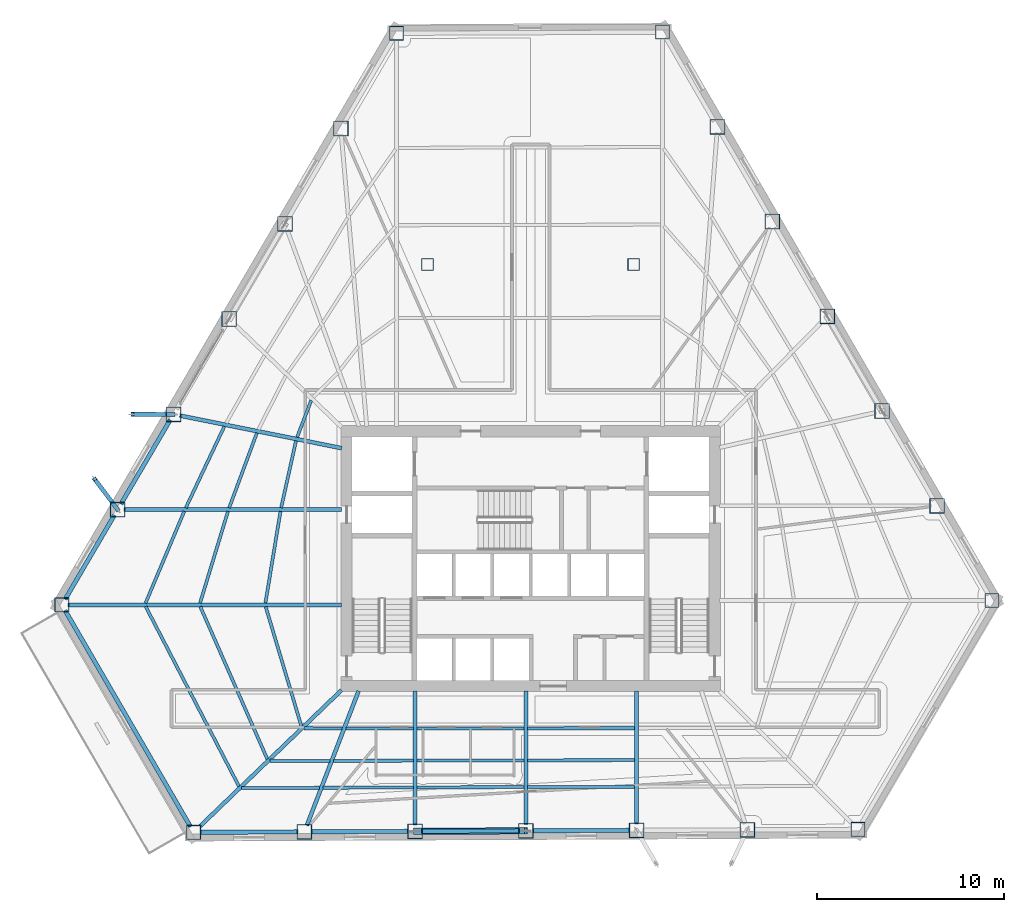
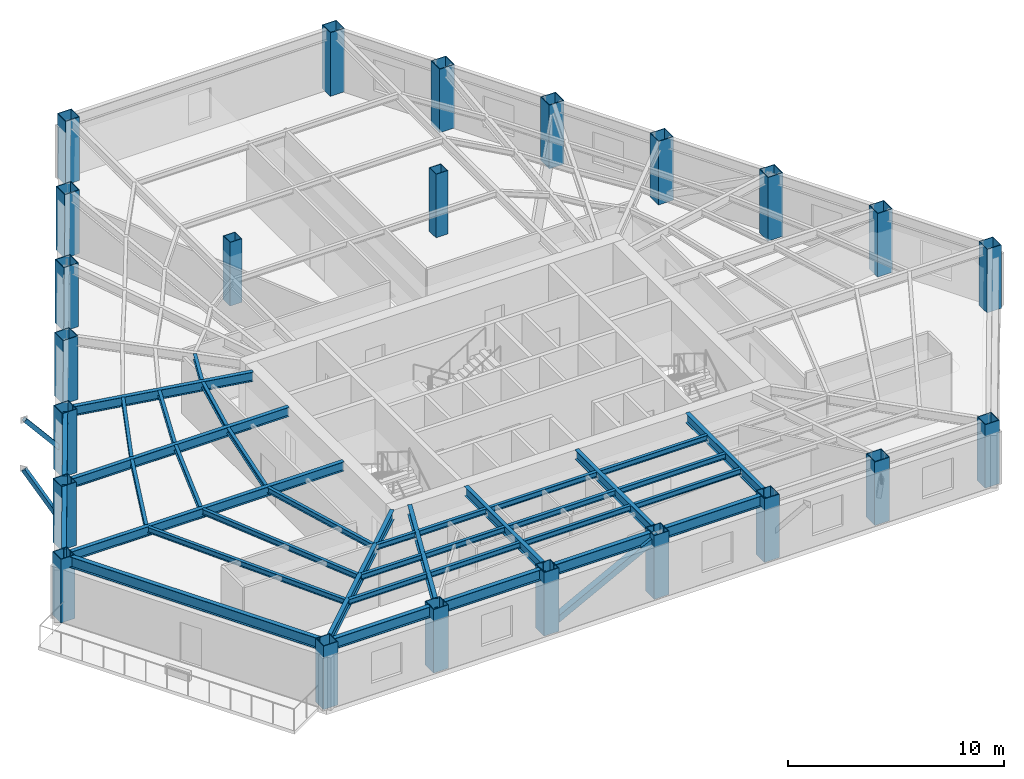
# One storey, part 1 of 15: 37 beams, 23 columns, 3 members.
"""IFC4 building model written with IfcOpenShell, lengths in metres."""

from ifc_helpers import new_model, si_unit, direction, frame, origin, origin_2d, place, context, subcontext, project, spatial, hollow_rectangle, i_section, extrude, material, material_profile, profile_set, type_object, element, save


model = new_model("IFC4")

# Units and contexts
model_context = context("Model", 3, precision=1e-05, world=origin(), true_north=direction((0.0, 1.0)))
body_context = subcontext(model_context, "Body", "Model", "MODEL_VIEW")
ifc_project = project(units=[si_unit("LENGTHUNIT", "METRE"), si_unit("AREAUNIT", "SQUARE_METRE"), si_unit("VOLUMEUNIT", "CUBIC_METRE"), si_unit("PLANEANGLEUNIT", "RADIAN"), si_unit("MASSUNIT", "GRAM", prefix="KILO")], contexts=[model_context])

# Site, building, storey
site_placement = place(None, origin())
site = spatial("IfcSite", under=ifc_project, at=site_placement, CompositionType="ELEMENT")
building_placement = place(site_placement, origin())
building = spatial("IfcBuilding", under=site, at=building_placement, Name="Kavelnor Concourse Tower", CompositionType="ELEMENT")
storey_placement = place(building_placement, frame((0.0, 0.0, 67.60009765625)))
storey = spatial("IfcBuildingStorey", under=building, at=storey_placement, Name="L17", CompositionType="ELEMENT", Elevation=67.60009765625)

# Columns
ifc_material = material(Name="Steel Grade 350", Category="steel")
ifc_material_profile_1 = material_profile(ifc_material, hollow_rectangle(XDim=0.760009765625, YDim=0.760009765625, WallThickness=0.034912109375, at=origin_2d()), Name="SHS 760x760x35")
ifc_profile_set_1 = profile_set([ifc_material_profile_1], Name="Steel Grade 350")
column_type_1 = type_object("IfcColumnType", Name="COL-FOLD-Z1", PredefinedType="COLUMN", material=ifc_profile_set_1)
for number, where, z_axis, x_axis, name in (
    (1, (30.846923828125, 44.1298828125, 0.0), (0.0, 0.0, 1.0), (1.0, 0.0, 0.0), "L17 Perimeter Corner-Fold Column F0-B0"),
    (2, (12.98828125, 13.63427734375, 0.0), (0.0, 0.0, 1.0), (1.0, 0.0, 0.0), "L17 Perimeter Corner-Fold Column F0-B6"),
    (3, (20.022705078125, 1.497314453125, 0.0), (0.0, 0.0, 1.0), (1.0, 0.0, 0.0), "L17 Perimeter Corner-Fold Column F1-B0"),
    (4, (55.46630859375, 1.656982421875, 0.0), (0.0, 0.0, 1.0), (1.0, 0.0, 0.0), "L17 Perimeter Corner-Fold Column F1-B6"),
    (5, (62.61572265625, 13.865478515625, 0.0), (0.0, 0.0, 1.0), (1.0, 0.0, 0.0), "L17 Perimeter Corner-Fold Column F2-B0"),
    (6, (45.0380859375, 44.194091796875, 0.0), (0.0, 0.0, 1.0), (1.0, 0.0, 0.0), "L17 Perimeter Corner-Fold Column F2-B6"),
):
    element("IfcColumn", number, at=place(storey_placement, frame(where, z_axis=z_axis, x_axis=x_axis)), inside=storey, type_object=column_type_1, Name=name, PredefinedType="COLUMN", context=body_context, shape_type="SweptSolid", body=[
        extrude(hollow_rectangle(XDim=0.760009765625, YDim=0.760009765625, WallThickness=0.034912109375, at=origin_2d()), origin(), (0.0, 0.0, 1.0), 3.58984375),
    ])
ifc_material_profile_2 = material_profile(ifc_material, hollow_rectangle(XDim=0.800048828125, YDim=0.800048828125, WallThickness=0.035888671875, at=origin_2d()), Name="SHS 800x800x36")
ifc_profile_set_2 = profile_set([ifc_material_profile_2], Name="Steel Grade 350")
column_type_2 = type_object("IfcColumnType", Name="COL-TUBE-Z1", PredefinedType="COLUMN", material=ifc_profile_set_2)
for number, where, z_axis, x_axis, name in (
    (7, (27.87060546875, 39.04736328125, 0.0), (0.0, 0.0, 1.0), (1.0, 0.0, 0.0), "L17 Perimeter Framed-Tube Column F0-B1"),
    (8, (24.89404296875, 33.964599609375, 0.0), (0.0, 0.0, 1.0), (1.0, 0.0, 0.0), "L17 Perimeter Framed-Tube Column F0-B2"),
    (9, (21.917724609375, 28.882080078125, 0.0), (0.0, 0.0, 1.0), (1.0, 0.0, 0.0), "L17 Perimeter Framed-Tube Column F0-B3"),
    (10, (18.941162109375, 23.799560546875, 0.0), (0.0, 0.0, 1.0), (1.0, 0.0, 0.0), "L17 Perimeter Framed-Tube Column F0-B4"),
    (11, (15.96484375, 18.716796875, 0.0), (0.0, 0.0, 1.0), (1.0, 0.0, 0.0), "L17 Perimeter Framed-Tube Column F0-B5"),
    (12, (25.929931640625, 1.52392578125, 0.0), (0.0, 0.0, 1.0), (1.0, 0.0, 0.0), "L17 Perimeter Framed-Tube Column F1-B1"),
    (13, (31.837158203125, 1.550537109375, 0.0), (0.0, 0.0, 1.0), (1.0, 0.0, 0.0), "L17 Perimeter Framed-Tube Column F1-B2"),
    (14, (37.744384765625, 1.5771484375, 0.0), (0.0, 0.0, 1.0), (1.0, 0.0, 0.0), "L17 Perimeter Framed-Tube Column F1-B3"),
    (15, (43.65185546875, 1.603759765625, 0.0), (0.0, 0.0, 1.0), (1.0, 0.0, 0.0), "L17 Perimeter Framed-Tube Column F1-B4"),
    (16, (49.55908203125, 1.630615234375, 0.0), (0.0, 0.0, 1.0), (1.0, 0.0, 0.0), "L17 Perimeter Framed-Tube Column F1-B5"),
    (17, (59.68603515625, 18.92041015625, 0.0), (0.0, 0.0, 1.0), (1.0, 0.0, 0.0), "L17 Perimeter Framed-Tube Column F2-B1"),
    (18, (56.756591796875, 23.97509765625, 0.0), (0.0, 0.0, 1.0), (1.0, 0.0, 0.0), "L17 Perimeter Framed-Tube Column F2-B2"),
    (19, (53.826904296875, 29.02978515625, 0.0), (0.0, 0.0, 1.0), (1.0, 0.0, 0.0), "L17 Perimeter Framed-Tube Column F2-B3"),
    (20, (50.897216796875, 34.08447265625, 0.0), (0.0, 0.0, 1.0), (1.0, 0.0, 0.0), "L17 Perimeter Framed-Tube Column F2-B4"),
    (21, (47.967529296875, 39.139404296875, 0.0), (0.0, 0.0, 1.0), (1.0, 0.0, 0.0), "L17 Perimeter Framed-Tube Column F2-B5"),
):
    element("IfcColumn", number, at=place(storey_placement, frame(where, z_axis=z_axis, x_axis=x_axis)), inside=storey, type_object=column_type_2, Name=name, PredefinedType="COLUMN", context=body_context, shape_type="SweptSolid", body=[
        extrude(hollow_rectangle(XDim=0.800048828125, YDim=0.800048828125, WallThickness=0.035888671875, at=origin_2d()), origin(), (0.0, 0.0, 1.0), 3.58984375),
    ])
ifc_material_profile_3 = material_profile(ifc_material, hollow_rectangle(XDim=0.639892578125, YDim=0.639892578125, WallThickness=0.028076171875, at=origin_2d()), Name="SHS 640x640x28")
ifc_profile_set_3 = profile_set([ifc_material_profile_3], Name="Steel Grade 350")
column_type_3 = type_object("IfcColumnType", Name="COL-TUBE-Z3", PredefinedType="COLUMN", material=ifc_profile_set_3)
for number, where, z_axis, x_axis, name in (
    (22, (32.5, 31.800048828125, 0.0), (0.0, 0.0, 1.0), (1.0, 0.0, 0.0), "L17 North Interior Gravity Column BC-NW"),
    (23, (43.5, 31.800048828125, 0.0), (0.0, 0.0, 1.0), (1.0, 0.0, 0.0), "L17 North Interior Gravity Column BC-NE"),
):
    element("IfcColumn", number, at=place(storey_placement, frame(where, z_axis=z_axis, x_axis=x_axis)), inside=storey, type_object=column_type_3, Name=name, PredefinedType="COLUMN", context=body_context, shape_type="SweptSolid", body=[
        extrude(hollow_rectangle(XDim=0.639892578125, YDim=0.639892578125, WallThickness=0.028076171875, at=origin_2d()), origin(), (0.0, 0.0, 1.0), 3.58984375),
    ])

# Beams
ifc_material_profile_4 = material_profile(ifc_material, i_section(OverallWidth=0.166015625, OverallDepth=0.306884765625, WebThickness=0.006591796875, FlangeThickness=0.01171875, at=origin_2d()), Name="310UB46")
ifc_profile_set_4 = profile_set([ifc_material_profile_4], Name="Steel Grade 350")
beam_type_1 = type_object("IfcBeamType", Name="BM-JOIST-310", PredefinedType="JOIST", material=ifc_profile_set_4)
beam_1_placement = place(storey_placement, frame((23.862548828125, 13.539794921875, 3.4365234375), z_axis=(0.286111777184, -0.958196248665, 0.0), x_axis=(0.958196248665, 0.286111777184, 0.0)))
element("IfcBeam", 24, at=beam_1_placement, inside=storey, type_object=beam_type_1, Name="L17 Secondary Composite Joist 01-1", PredefinedType="JOIST", context=body_context, shape_type="SweptSolid", body=[
    extrude(i_section(OverallWidth=0.166015625, OverallDepth=0.306884765625, WebThickness=0.006591796875, FlangeThickness=0.01171875, at=origin_2d()), origin(), (0.0, 0.0, 1.0), 6.66943359375),
])
beam_2_placement = place(storey_placement, frame((20.3720703125, 13.544189453125, 3.4365234375), z_axis=(0.402514995362, -0.91541339214, 0.0), x_axis=(0.91541339214, 0.402514995362, 0.0)))
element("IfcBeam", 25, at=beam_2_placement, inside=storey, type_object=beam_type_1, Name="L17 Secondary Composite Joist 01-2", PredefinedType="JOIST", context=body_context, shape_type="SweptSolid", body=[
    extrude(i_section(OverallWidth=0.166015625, OverallDepth=0.306884765625, WebThickness=0.006591796875, FlangeThickness=0.01171875, at=origin_2d()), origin(), (0.0, 0.0, 1.0), 8.891357421875),
])
beam_3_placement = place(storey_placement, frame((17.45947265625, 13.546875, 3.4365234375), z_axis=(0.460597330643, -0.887609203988, 0.0), x_axis=(0.887609203988, 0.460597330643, 0.0)))
element("IfcBeam", 26, at=beam_3_placement, inside=storey, type_object=beam_type_1, Name="L17 Secondary Composite Joist 01-3", PredefinedType="JOIST", context=body_context, shape_type="SweptSolid", body=[
    extrude(i_section(OverallWidth=0.166015625, OverallDepth=0.306884765625, WebThickness=0.006591796875, FlangeThickness=0.01171875, at=origin_2d()), origin(), (0.0, 0.0, 1.0), 10.809326171875),
])
beam_4_placement = place(storey_placement, frame((25.8974609375, 7.0537109375, 3.4365234375), z_axis=(0.999936007774, -0.011312840388, 0.0), x_axis=(0.011312840388, 0.999936007774, 0.0)))
element("IfcBeam", 27, at=beam_4_placement, inside=storey, type_object=beam_type_1, Name="L17 Secondary Composite Joist 02-1", PredefinedType="JOIST", context=body_context, shape_type="SweptSolid", body=[
    extrude(i_section(OverallWidth=0.166015625, OverallDepth=0.306884765625, WebThickness=0.006591796875, FlangeThickness=0.01171875, at=origin_2d()), origin(), (0.0, 0.0, 1.0), 2.05029296875),
])
beam_5_placement = place(storey_placement, frame((24.089111328125, 5.314697265625, 3.4365234375), z_axis=(0.999998177625, -0.001909122141, 0.0), x_axis=(0.001909122141, 0.999998177625, 0.0)))
element("IfcBeam", 28, at=beam_5_placement, inside=storey, type_object=beam_type_1, Name="L17 Secondary Composite Joist 02-2", PredefinedType="JOIST", context=body_context, shape_type="SweptSolid", body=[
    extrude(i_section(OverallWidth=0.166015625, OverallDepth=0.306884765625, WebThickness=0.006591796875, FlangeThickness=0.01171875, at=origin_2d()), origin(), (0.0, 0.0, 1.0), 3.197021484375),
])
beam_6_placement = place(storey_placement, frame((22.582275390625, 3.865234375, 3.4365234375), z_axis=(0.999997634002, 0.002175313802, 0.0), x_axis=(-0.002175313802, 0.999997634002, 0.0)))
element("IfcBeam", 29, at=beam_6_placement, inside=storey, type_object=beam_type_1, Name="L17 Secondary Composite Joist 02-3", PredefinedType="JOIST", context=body_context, shape_type="SweptSolid", body=[
    extrude(i_section(OverallWidth=0.166015625, OverallDepth=0.306884765625, WebThickness=0.006591796875, FlangeThickness=0.01171875, at=origin_2d()), origin(), (0.0, 0.0, 1.0), 4.152587890625),
])
beam_7_placement = place(storey_placement, frame((28.14453125, 7.02978515625, 3.4365234375), z_axis=(0.999997487751, 0.002241537637, 0.0), x_axis=(-0.002241537637, 0.999997487751, 0.0)))
element("IfcBeam", 30, at=beam_7_placement, inside=storey, type_object=beam_type_1, Name="L17 Secondary Composite Joist 03-1", PredefinedType="JOIST", context=body_context, shape_type="SweptSolid", body=[
    extrude(i_section(OverallWidth=0.166015625, OverallDepth=0.306884765625, WebThickness=0.006591796875, FlangeThickness=0.01171875, at=origin_2d()), origin(), (0.0, 0.0, 1.0), 3.59423828125),
])
beam_8_placement = place(storey_placement, frame((27.483154296875, 5.308837890625, 3.4365234375), z_axis=(0.999995201453, 0.003097914112, 0.0), x_axis=(-0.003097914112, 0.999995201453, 0.0)))
element("IfcBeam", 31, at=beam_8_placement, inside=storey, type_object=beam_type_1, Name="L17 Secondary Composite Joist 03-2", PredefinedType="JOIST", context=body_context, shape_type="SweptSolid", body=[
    extrude(i_section(OverallWidth=0.166015625, OverallDepth=0.306884765625, WebThickness=0.006591796875, FlangeThickness=0.01171875, at=origin_2d()), origin(), (0.0, 0.0, 1.0), 4.255615234375),
])
beam_9_placement = place(storey_placement, frame((26.931884765625, 3.874755859375, 3.4365234375), z_axis=(0.999993498177, 0.003606051012, 0.0), x_axis=(-0.003606051012, 0.999993498177, 0.0)))
element("IfcBeam", 32, at=beam_9_placement, inside=storey, type_object=beam_type_1, Name="L17 Secondary Composite Joist 03-3", PredefinedType="JOIST", context=body_context, shape_type="SweptSolid", body=[
    extrude(i_section(OverallWidth=0.166015625, OverallDepth=0.306884765625, WebThickness=0.006591796875, FlangeThickness=0.01171875, at=origin_2d()), origin(), (0.0, 0.0, 1.0), 4.806884765625),
])
for number, where, z_axis, x_axis, name in (
    (33, (31.935791015625, 7.038330078125, 3.4365234375), (0.999999231326, 0.001239898145, 0.0), (-0.001239898145, 0.999999231326, 0.0), "L17 Secondary Composite Joist 04-1"),
    (34, (31.935791015625, 5.322509765625, 3.4365234375), (0.999997235158, 0.00235152627, 0.0), (-0.00235152627, 0.999997235158, 0.0), "L17 Secondary Composite Joist 04-2"),
    (35, (31.935791015625, 3.892822265625, 3.4365234375), (0.999994720772, 0.003249373585, 0.0), (-0.003249373585, 0.999994720772, 0.0), "L17 Secondary Composite Joist 04-3"),
    (36, (37.843017578125, 7.045654296875, 3.4365234375), (0.9999991774, 0.001282653184, 0.0), (-0.001282653184, 0.9999991774, 0.0), "L17 Secondary Composite Joist 05-1"),
    (37, (37.843017578125, 5.33642578125, 3.4365234375), (0.999997334784, 0.002308771477, 0.0), (-0.002308771477, 0.999997334784, 0.0), "L17 Secondary Composite Joist 05-2"),
    (38, (37.843017578125, 3.911865234375, 3.4365234375), (0.999994720772, 0.003249373585, 0.0), (-0.003249373585, 0.999994720772, 0.0), "L17 Secondary Composite Joist 05-3"),
):
    element("IfcBeam", number, at=place(storey_placement, frame(where, z_axis=z_axis, x_axis=x_axis)), inside=storey, type_object=beam_type_1, Name=name, PredefinedType="JOIST", context=body_context, shape_type="SweptSolid", body=[
        extrude(i_section(OverallWidth=0.166015625, OverallDepth=0.306884765625, WebThickness=0.006591796875, FlangeThickness=0.01171875, at=origin_2d()), origin(), (0.0, 0.0, 1.0), 5.710205078125),
    ])
beam_10_placement = place(storey_placement, frame((26.294189453125, 24.5439453125, 3.4365234375), z_axis=(-0.358862904962, -0.933390280345, 0.0), x_axis=(0.933390280345, -0.358862904962, 0.0)))
element("IfcBeam", 39, at=beam_10_placement, inside=storey, type_object=beam_type_1, Name="L17 Secondary Composite Joist 19-1", PredefinedType="JOIST", context=body_context, shape_type="SweptSolid", body=[
    extrude(i_section(OverallWidth=0.166015625, OverallDepth=0.306884765625, WebThickness=0.006591796875, FlangeThickness=0.01171875, at=origin_2d()), origin(), (0.0, 0.0, 1.0), 2.1123046875),
])
beam_11_placement = place(storey_placement, frame((25.4794921875, 22.384033203125, 3.4365234375), z_axis=(-0.216138801597, -0.976362646993, 0.0), x_axis=(0.976362646993, -0.216138801597, 0.0)))
element("IfcBeam", 40, at=beam_11_placement, inside=storey, type_object=beam_type_1, Name="L17 Secondary Composite Joist 20-1", PredefinedType="JOIST", context=body_context, shape_type="SweptSolid", body=[
    extrude(i_section(OverallWidth=0.166015625, OverallDepth=0.306884765625, WebThickness=0.006591796875, FlangeThickness=0.01171875, at=origin_2d()), origin(), (0.0, 0.0, 1.0), 3.657470703125),
])
beam_12_placement = place(storey_placement, frame((23.393798828125, 22.8046875, 3.4365234375), z_axis=(-0.34725836519, -0.937769496095, 0.0), x_axis=(0.937769496095, -0.34725836519, 0.0)))
element("IfcBeam", 41, at=beam_12_placement, inside=storey, type_object=beam_type_1, Name="L17 Secondary Composite Joist 20-2", PredefinedType="JOIST", context=body_context, shape_type="SweptSolid", body=[
    extrude(i_section(OverallWidth=0.166015625, OverallDepth=0.306884765625, WebThickness=0.006591796875, FlangeThickness=0.01171875, at=origin_2d()), origin(), (0.0, 0.0, 1.0), 4.260498046875),
])
beam_13_placement = place(storey_placement, frame((21.658203125, 23.155517578125, 3.4365234375), z_axis=(-0.427872616146, -0.903839047813, 0.0), x_axis=(0.903839047813, -0.427872616146, 0.0)))
element("IfcBeam", 42, at=beam_13_placement, inside=storey, type_object=beam_type_1, Name="L17 Secondary Composite Joist 20-3", PredefinedType="JOIST", context=body_context, shape_type="SweptSolid", body=[
    extrude(i_section(OverallWidth=0.166015625, OverallDepth=0.306884765625, WebThickness=0.006591796875, FlangeThickness=0.01171875, at=origin_2d()), origin(), (0.0, 0.0, 1.0), 4.812255859375),
])
beam_14_placement = place(storey_placement, frame((24.65185546875, 18.61962890625, 3.4365234375), z_axis=(-0.161808860919, -0.986822117977, 0.0), x_axis=(0.986822117977, -0.161808860919, 0.0)))
element("IfcBeam", 43, at=beam_14_placement, inside=storey, type_object=beam_type_1, Name="L17 Secondary Composite Joist 21-1", PredefinedType="JOIST", context=body_context, shape_type="SweptSolid", body=[
    extrude(i_section(OverallWidth=0.166015625, OverallDepth=0.306884765625, WebThickness=0.006591796875, FlangeThickness=0.01171875, at=origin_2d()), origin(), (0.0, 0.0, 1.0), 4.953369140625),
])
beam_15_placement = place(storey_placement, frame((21.851318359375, 18.622802734375, 3.4365234375), z_axis=(-0.291281243076, -0.95663746395, 0.0), x_axis=(0.95663746395, -0.291281243076, 0.0)))
element("IfcBeam", 44, at=beam_15_placement, inside=storey, type_object=beam_type_1, Name="L17 Secondary Composite Joist 21-2", PredefinedType="JOIST", context=body_context, shape_type="SweptSolid", body=[
    extrude(i_section(OverallWidth=0.166015625, OverallDepth=0.306884765625, WebThickness=0.006591796875, FlangeThickness=0.01171875, at=origin_2d()), origin(), (0.0, 0.0, 1.0), 5.1162109375),
])
beam_16_placement = place(storey_placement, frame((19.518798828125, 18.626220703125, 3.4365234375), z_axis=(-0.388500190137, -0.921448643313, 0.0), x_axis=(0.921448643313, -0.388500190137, 0.0)))
element("IfcBeam", 45, at=beam_16_placement, inside=storey, type_object=beam_type_1, Name="L17 Secondary Composite Joist 21-3", PredefinedType="JOIST", context=body_context, shape_type="SweptSolid", body=[
    extrude(i_section(OverallWidth=0.166015625, OverallDepth=0.306884765625, WebThickness=0.006591796875, FlangeThickness=0.01171875, at=origin_2d()), origin(), (0.0, 0.0, 1.0), 5.31884765625),
])
ifc_material_profile_5 = material_profile(ifc_material, i_section(OverallWidth=0.208984375, OverallDepth=0.528076171875, WebThickness=0.009521484375, FlangeThickness=0.01318359375, at=origin_2d()), Name="530UB82")
ifc_profile_set_5 = profile_set([ifc_material_profile_5], Name="Steel Grade 350")
beam_type_2 = type_object("IfcBeamType", Name="BM-PRIMARY-530", PredefinedType="BEAM", material=ifc_profile_set_5)
beam_17_placement = place(storey_placement, frame((27.919189453125, 21.993896484375, 3.325927734375), z_axis=(-0.980370147364, 0.197165854443, 0.0), x_axis=(-0.197165854443, -0.980370147364, 0.0)))
element("IfcBeam", 46, at=beam_17_placement, inside=storey, type_object=beam_type_2, Name="L17 Primary Floor Girder F0-B4", PredefinedType="BEAM", context=body_context, shape_type="SweptSolid", body=[
    extrude(i_section(OverallWidth=0.208984375, OverallDepth=0.528076171875, WebThickness=0.009521484375, FlangeThickness=0.01318359375, at=origin_2d()), origin(), (0.0, 0.0, 1.0), 8.81005859375),
])
beam_18_placement = place(storey_placement, frame((27.919921875, 18.716796875, 3.325927734375), z_axis=(-1.0, 0.0, 0.0), x_axis=(0.0, -1.0, 0.0)))
element("IfcBeam", 47, at=beam_18_placement, inside=storey, type_object=beam_type_2, Name="L17 Primary Floor Girder F0-B5", PredefinedType="BEAM", context=body_context, shape_type="SweptSolid", body=[
    extrude(i_section(OverallWidth=0.208984375, OverallDepth=0.528076171875, WebThickness=0.009521484375, FlangeThickness=0.01318359375, at=origin_2d()), origin(), (0.0, 0.0, 1.0), 11.615234375),
])
beam_19_placement = place(storey_placement, frame((27.919921875, 13.63427734375, 3.325927734375), z_axis=(-1.0, 0.0, 0.0), x_axis=(0.0, -1.0, 0.0)))
element("IfcBeam", 48, at=beam_19_placement, inside=storey, type_object=beam_type_2, Name="L17 Primary Floor Girder F0-B6", PredefinedType="BEAM", context=body_context, shape_type="SweptSolid", body=[
    extrude(i_section(OverallWidth=0.208984375, OverallDepth=0.528076171875, WebThickness=0.009521484375, FlangeThickness=0.01318359375, at=origin_2d()), origin(), (0.0, 0.0, 1.0), 14.591552734375),
])
beam_20_placement = place(storey_placement, frame((27.90869140625, 9.084716796875, 3.325927734375), z_axis=(-0.720622602824, -0.69332753032, 0.0), x_axis=(0.69332753032, -0.720622602824, 0.0)))
element("IfcBeam", 49, at=beam_20_placement, inside=storey, type_object=beam_type_2, Name="L17 Primary Floor Girder F1-B0", PredefinedType="BEAM", context=body_context, shape_type="SweptSolid", body=[
    extrude(i_section(OverallWidth=0.208984375, OverallDepth=0.528076171875, WebThickness=0.009521484375, FlangeThickness=0.01318359375, at=origin_2d()), origin(), (0.0, 0.0, 1.0), 10.4560546875),
])
beam_21_placement = place(storey_placement, frame((28.81787109375, 9.037353515625, 3.325927734375), z_axis=(-0.358770367287, -0.933425853272, 0.0), x_axis=(0.933425853272, -0.358770367287, 0.0)))
element("IfcBeam", 50, at=beam_21_placement, inside=storey, type_object=beam_type_2, Name="L17 Primary Floor Girder F1-B1", PredefinedType="BEAM", context=body_context, shape_type="SweptSolid", body=[
    extrude(i_section(OverallWidth=0.208984375, OverallDepth=0.528076171875, WebThickness=0.009521484375, FlangeThickness=0.01318359375, at=origin_2d()), origin(), (0.0, 0.0, 1.0), 7.68212890625),
])
beam_22_placement = place(storey_placement, frame((31.837158203125, 9.0400390625, 3.325927734375), z_axis=(0.0, -1.0, 0.0), x_axis=(1.0, 0.0, 0.0)))
element("IfcBeam", 51, at=beam_22_placement, inside=storey, type_object=beam_type_2, Name="L17 Primary Floor Girder F1-B2", PredefinedType="BEAM", context=body_context, shape_type="SweptSolid", body=[
    extrude(i_section(OverallWidth=0.208984375, OverallDepth=0.528076171875, WebThickness=0.009521484375, FlangeThickness=0.01318359375, at=origin_2d()), origin(), (0.0, 0.0, 1.0), 7.1494140625),
])
beam_23_placement = place(storey_placement, frame((37.744384765625, 9.0400390625, 3.325927734375), z_axis=(0.0, -1.0, 0.0), x_axis=(1.0, 0.0, 0.0)))
element("IfcBeam", 52, at=beam_23_placement, inside=storey, type_object=beam_type_2, Name="L17 Primary Floor Girder F1-B3", PredefinedType="BEAM", context=body_context, shape_type="SweptSolid", body=[
    extrude(i_section(OverallWidth=0.208984375, OverallDepth=0.528076171875, WebThickness=0.009521484375, FlangeThickness=0.01318359375, at=origin_2d()), origin(), (0.0, 0.0, 1.0), 7.122802734375),
])
beam_24_placement = place(storey_placement, frame((43.65185546875, 9.0400390625, 3.325927734375), z_axis=(0.0, -1.0, 0.0), x_axis=(1.0, 0.0, 0.0)))
element("IfcBeam", 53, at=beam_24_placement, inside=storey, type_object=beam_type_2, Name="L17 Primary Floor Girder F1-B4", PredefinedType="BEAM", context=body_context, shape_type="SweptSolid", body=[
    extrude(i_section(OverallWidth=0.208984375, OverallDepth=0.528076171875, WebThickness=0.009521484375, FlangeThickness=0.01318359375, at=origin_2d()), origin(), (0.0, 0.0, 1.0), 7.09619140625),
])
ifc_material_profile_6 = material_profile(ifc_material, i_section(OverallWidth=0.22900390625, OverallDepth=0.612060546875, WebThickness=0.011962890625, FlangeThickness=0.01953125, at=origin_2d()), Name="610UB125")
ifc_profile_set_6 = profile_set([ifc_material_profile_6], Name="Steel Grade 350")
beam_type_3 = type_object("IfcBeamType", Name="BM-SPANDREL-Z1", PredefinedType="SPANDREL", material=ifc_profile_set_6)
beam_25_placement = place(storey_placement, frame((18.766845703125, 23.501708984375, 3.283935546875), z_axis=(-0.505338686487, -0.862921092534, 0.0), x_axis=(0.862921092534, -0.505338686487, 0.0)))
element("IfcBeam", 54, at=beam_25_placement, inside=storey, type_object=beam_type_3, Name="L17 Perimeter Tube Spandrel Beam F0-B4", PredefinedType="SPANDREL", context=body_context, shape_type="SweptSolid", body=[
    extrude(i_section(OverallWidth=0.22900390625, OverallDepth=0.612060546875, WebThickness=0.011962890625, FlangeThickness=0.01953125, at=origin_2d()), origin(), (0.0, 0.0, 1.0), 5.199951171875),
])
beam_26_placement = place(storey_placement, frame((15.79052734375, 18.419189453125, 3.283935546875), z_axis=(-0.505353173085, -0.862912608816, 0.0), x_axis=(0.862912608816, -0.505353173085, 0.0)))
element("IfcBeam", 55, at=beam_26_placement, inside=storey, type_object=beam_type_3, Name="L17 Perimeter Tube Spandrel Beam F0-B5", PredefinedType="SPANDREL", context=body_context, shape_type="SweptSolid", body=[
    extrude(i_section(OverallWidth=0.22900390625, OverallDepth=0.612060546875, WebThickness=0.011962890625, FlangeThickness=0.01953125, at=origin_2d()), origin(), (0.0, 0.0, 1.0), 5.2001953125),
])
for number, where, z_axis, x_axis, name in (
    (56, (20.36767578125, 1.498779296875, 3.283935546875), (0.999989909868, 0.004492233568, 0.0), (-0.004492233568, 0.999989909868, 0.0), "L17 Perimeter Tube Spandrel Beam F1-B0"),
    (57, (26.27490234375, 1.525390625, 3.283935546875), (0.999989698565, 0.004539026709, 0.0), (-0.004539026709, 0.999989698565, 0.0), "L17 Perimeter Tube Spandrel Beam F1-B1"),
    (58, (32.18212890625, 1.55224609375, 3.283935546875), (0.999989909868, 0.004492233568, 0.0), (-0.004492233568, 0.999989909868, 0.0), "L17 Perimeter Tube Spandrel Beam F1-B2"),
    (59, (38.089599609375, 1.578857421875, 3.283935546875), (0.999989909868, 0.004492233568, 0.0), (-0.004492233568, 0.999989909868, 0.0), "L17 Perimeter Tube Spandrel Beam F1-B3"),
):
    element("IfcBeam", number, at=place(storey_placement, frame(where, z_axis=z_axis, x_axis=x_axis)), inside=storey, type_object=beam_type_3, Name=name, PredefinedType="SPANDREL", context=body_context, shape_type="SweptSolid", body=[
        extrude(i_section(OverallWidth=0.22900390625, OverallDepth=0.612060546875, WebThickness=0.011962890625, FlangeThickness=0.01953125, at=origin_2d()), origin(), (0.0, 0.0, 1.0), 5.21728515625),
    ])
beam_27_placement = place(storey_placement, frame((13.161376953125, 13.335693359375, 3.283935546875), z_axis=(0.501446048192, -0.865188916222, 0.0), x_axis=(0.865188916222, 0.501446048192, 0.0)))
element("IfcBeam", 60, at=beam_27_placement, inside=storey, type_object=beam_type_3, Name="L17 Chamfer Facet Spandrel Beam C1", PredefinedType="SPANDREL", context=body_context, shape_type="SweptSolid", body=[
    extrude(i_section(OverallWidth=0.22900390625, OverallDepth=0.612060546875, WebThickness=0.011962890625, FlangeThickness=0.01953125, at=origin_2d()), origin(), (0.0, 0.0, 1.0), 13.337890625),
])

# Members
ifc_material_profile_7 = material_profile(ifc_material, hollow_rectangle(XDim=0.219970703125, YDim=0.219970703125, WallThickness=0.013916015625, at=origin_2d()), Name="SHS 220x220x14")
ifc_profile_set_7 = profile_set([ifc_material_profile_7], Name="Steel Grade 350")
member_type_1 = type_object("IfcMemberType", Name="MBR-BALC-STRUT-220", PredefinedType="STRUT", material=ifc_profile_set_7)
member_1_placement = place(storey_placement, frame((18.941162109375, 23.799560546875, 1.0498046875), z_axis=(-0.643074089126, 0.000717716617, 0.765803630689), x_axis=(-0.001116070733, -0.999999377193, 0.0)))
element("IfcMember", 61, at=member_1_placement, inside=storey, type_object=member_type_1, Name="L17 Tree Balcony Raking Knee Strut 1-A", PredefinedType="STRUT", context=body_context, shape_type="SweptSolid", body=[
    extrude(hollow_rectangle(XDim=0.219970703125, YDim=0.219970703125, WallThickness=0.013916015625, at=origin_2d()), origin(), (0.0, 0.0, 1.0), 3.401611328125),
])
member_2_placement = place(storey_placement, frame((15.96484375, 18.716796875, 1.0498046875), z_axis=(-0.37121010037, 0.492832483742, 0.786968362993), x_axis=(-0.79876465871, -0.601643598816, 0.0)))
element("IfcMember", 62, at=member_2_placement, inside=storey, type_object=member_type_1, Name="L17 Tree Balcony Raking Knee Strut 1-B", PredefinedType="STRUT", context=body_context, shape_type="SweptSolid", body=[
    extrude(hollow_rectangle(XDim=0.219970703125, YDim=0.219970703125, WallThickness=0.013916015625, at=origin_2d()), origin(), (0.0, 0.0, 1.0), 3.31005859375),
])
ifc_material_profile_8 = material_profile(ifc_material, hollow_rectangle(XDim=0.35009765625, YDim=0.35009765625, WallThickness=0.02001953125, at=origin_2d()), Name="SHS 350x350x20")
ifc_profile_set_8 = profile_set([ifc_material_profile_8], Name="Steel Grade 350")
member_type_2 = type_object("IfcMemberType", Name="MBR-TUBE-DIAG-Z1", PredefinedType="BRACE", material=ifc_profile_set_8)
member_3_placement = place(storey_placement, frame((31.837158203125, 1.550537109375, 0.219970703125), z_axis=(0.887688567431, 0.003998927668, 0.460426992943), x_axis=(-0.004504831129, 0.999989853197, 0.0)))
element("IfcMember", 63, at=member_3_placement, inside=storey, type_object=member_type_2, Name="L17 Framed-Tube Bracing Diagonal F1-B2", PredefinedType="BRACE", context=body_context, shape_type="SweptSolid", body=[
    extrude(hollow_rectangle(XDim=0.35009765625, YDim=0.35009765625, WallThickness=0.02001953125, at=origin_2d()), origin(), (0.0, 0.0, 1.0), 6.654541015625),
])

save(model, "model.ifc")
